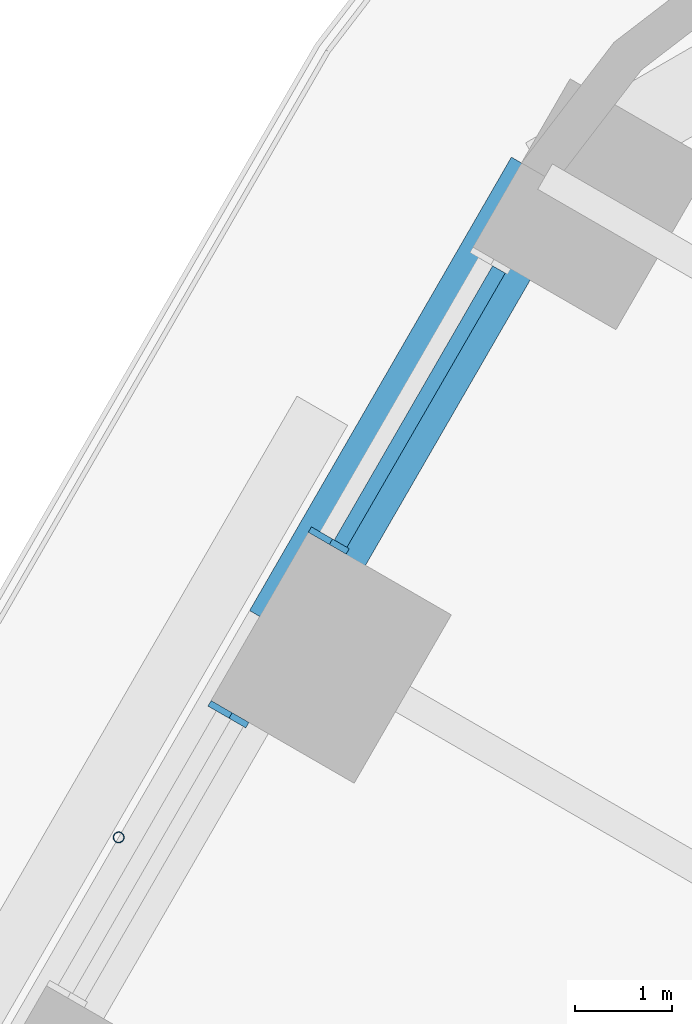
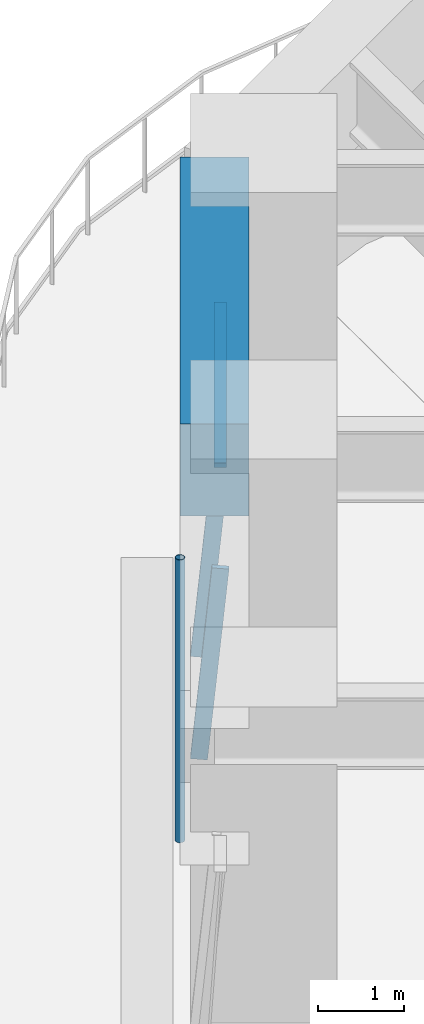
# One storey, part 9 of 23: 4 members, 1 beam, 2 elements without a shape of their own.
"""IFC4 building model written with IfcOpenShell, lengths in metres."""

from ifc_helpers import new_model, si_unit, direction, frame, origin, origin_2d, place, context, subcontext, project, spatial, rectangle, hollow_circle, extrude, material, material_profile, profile_set, type_object, element, aggregate, save


model = new_model("IFC4")

# Units and contexts
model_context = context("Model", 3, precision=1e-05, world=origin(), true_north=direction((0.0, 1.0)))
body_context = subcontext(model_context, "Body", "Model", "MODEL_VIEW")
ifc_project = project(units=[si_unit("LENGTHUNIT", "METRE"), si_unit("AREAUNIT", "SQUARE_METRE"), si_unit("VOLUMEUNIT", "CUBIC_METRE"), si_unit("PLANEANGLEUNIT", "RADIAN"), si_unit("MASSUNIT", "GRAM", prefix="KILO")], contexts=[model_context])

# Site, building, storey
site_placement = place(None, origin())
site = spatial("IfcSite", under=ifc_project, at=site_placement, CompositionType="ELEMENT")
building_placement = place(site_placement, origin())
building = spatial("IfcBuilding", under=site, at=building_placement, Name="Tarfa Lantern Tower", CompositionType="ELEMENT")
storey_placement = place(building_placement, frame((0.0, 0.0, 82.300048828125)))
storey = spatial("IfcBuildingStorey", under=building, at=storey_placement, Name="L18", CompositionType="ELEMENT", Elevation=82.300048828125)

# Curtain wall, member
ifc_material_1 = material(Name="Aluminium framed curtain wall", Category="aluminium")
curtain_wall_type = type_object("IfcCurtainWallType", Name="CW1 CANTED GLAZING LOW ZONE 2700", PredefinedType="USERDEFINED", material=ifc_material_1)
curtain_wall_1_placement = place(storey_placement, origin())
curtain_wall_1 = element("IfcCurtainWall", 1, at=curtain_wall_1_placement, inside=storey, type_object=curtain_wall_type, Name="CW1 NW L18", ObjectType="CURTAIN WALL", PredefinedType="USERDEFINED")
ifc_material_2 = material(Name="Aluminium mullion", Category="aluminium")
ifc_material_profile_1 = material_profile(ifc_material_2, rectangle(XDim=0.06494140625, YDim=0.199951171875, at=origin_2d()), Name="AL MULLION 65x200")
ifc_profile_set_1 = profile_set([ifc_material_profile_1], Name="Aluminium mullion")
member_type_1 = type_object("IfcMemberType", Name="CWM1 MULLION 65x200", PredefinedType="MULLION", material=ifc_profile_set_1)
member_1_placement = place(storey_placement, frame((-23.453369140625, 27.177490234375, 0.0), z_axis=(0.07986442134, -0.046099868913, 0.99573916077), x_axis=(0.499919672301, 0.866071776036, 0.0)))
member_1 = element("IfcMember", 2, at=member_1_placement, type_object=member_type_1, Name="CW1 mullion 2", PredefinedType="MULLION", context=body_context, shape_type="SweptSolid", body=[
    extrude(rectangle(XDim=0.06494140625, YDim=0.199951171875, at=origin_2d()), origin(), (0.0, 0.0, 1.0), 2.71142578125),
])

curtain_wall_2_placement = place(storey_placement, origin())
curtain_wall_2 = element("IfcCurtainWall", 3, at=curtain_wall_2_placement, inside=storey, type_object=curtain_wall_type, Name="CW1 NW L18", ObjectType="CURTAIN WALL", PredefinedType="USERDEFINED")
member_2_placement = place(storey_placement, frame((-24.48583984375, 25.38916015625, 0.0), z_axis=(0.07986442134, -0.046099868913, 0.99573916077), x_axis=(0.499919672301, 0.866071776036, 0.0)))
member_2 = element("IfcMember", 4, at=member_2_placement, type_object=member_type_1, Name="CW1 mullion 1", PredefinedType="MULLION", context=body_context, shape_type="SweptSolid", body=[
    extrude(rectangle(XDim=0.06494140625, YDim=0.199951171875, at=origin_2d()), origin(), (0.0, 0.0, 1.0), 2.71142578125),
])
aggregate(curtain_wall_2, [member_2])

# Member
ifc_material_3 = material(Name="Aluminium transom", Category="aluminium")
ifc_material_profile_2 = material_profile(ifc_material_3, rectangle(XDim=0.14990234375, YDim=0.06494140625, at=origin_2d()), Name="AL TRANSOM 150x65")
ifc_profile_set_2 = profile_set([ifc_material_profile_2], Name="Aluminium transom")
member_type_2 = type_object("IfcMemberType", Name="CWT1 TRANSOM 150x65", PredefinedType="USERDEFINED", material=ifc_profile_set_2)
member_3_placement = place(storey_placement, frame((-21.593994140625, 29.904296875, 2.66748046875), z_axis=(-0.499966746847, -0.86604460165, 0.0), x_axis=(0.86604460165, -0.499966746847, 0.0)))
member_3 = element("IfcMember", 5, at=member_3_placement, type_object=member_type_2, Name="CW1 transom 1.2", ObjectType="TRANSOM", PredefinedType="USERDEFINED", context=body_context, shape_type="SweptSolid", body=[
    extrude(rectangle(XDim=0.14990234375, YDim=0.06494140625, at=origin_2d()), origin(), (0.0, 0.0, 1.0), 3.258544921875),
])

aggregate(curtain_wall_1, [member_1, member_3])

# Beam
ifc_material_4 = material(Name="Concrete C80/95", Category="concrete")
ifc_material_profile_3 = material_profile(ifc_material_4, rectangle(XDim=0.800048828125, YDim=1.300048828125, at=origin_2d()), Name="RC 800x1300")
ifc_profile_set_3 = profile_set([ifc_material_profile_3], Name="Concrete C80/95")
beam_type = type_object("IfcBeamType", Name="EB1 RC 800x1300", PredefinedType="SPANDREL", material=ifc_profile_set_3)
beam_placement = place(storey_placement, frame((-21.119384765625, 30.860107421875, 3.349853515625), z_axis=(-0.499998287579, -0.866026392449, 0.0), x_axis=(0.866026392449, -0.499998287579, 0.0)))
element("IfcBeam", 6, at=beam_placement, inside=storey, type_object=beam_type, Name="Edge beam NW0", PredefinedType="SPANDREL", context=body_context, shape_type="SweptSolid", body=[
    extrude(rectangle(XDim=0.800048828125, YDim=1.300048828125, at=origin_2d()), origin(), (0.0, 0.0, 1.0), 5.388671875),
])

# Member
ifc_material_5 = material(Name="Steel S355", Category="steel")
ifc_material_profile_4 = material_profile(ifc_material_5, hollow_circle(Radius=0.05712890625, WallThickness=0.00634765625, at=origin_2d()), Name="CHS114.3x6.3")
ifc_profile_set_4 = profile_set([ifc_material_profile_4], Name="Steel S355")
member_type_3 = type_object("IfcMemberType", Name="TR1 GREEN WALL TRELLIS CHS114.3x6.3", PredefinedType="USERDEFINED", material=ifc_profile_set_4)
member_4_placement = place(storey_placement, frame((-25.50732421875, 24.06005859375, 0.0), z_axis=(0.0, 0.0, 1.0), x_axis=(1.0, 0.0, 0.0)))
element("IfcMember", 7, at=member_4_placement, inside=storey, type_object=member_type_3, Name="Trellis post NW 1", ObjectType="TRELLIS", PredefinedType="USERDEFINED", context=body_context, shape_type="SweptSolid", body=[
    extrude(hollow_circle(Radius=0.05712890625, WallThickness=0.00634765625, at=origin_2d()), origin(), (0.0, 0.0, 1.0), 4.0),
])

save(model, "model.ifc")
